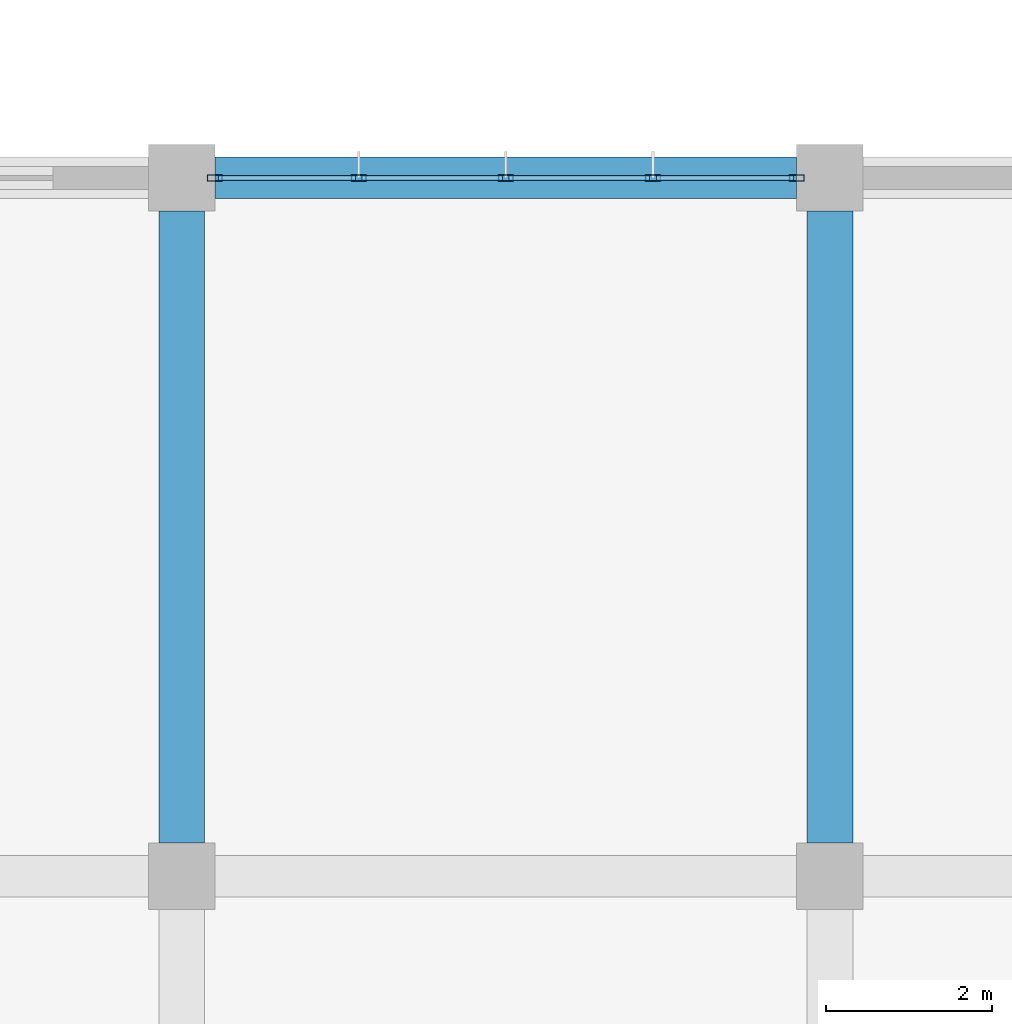
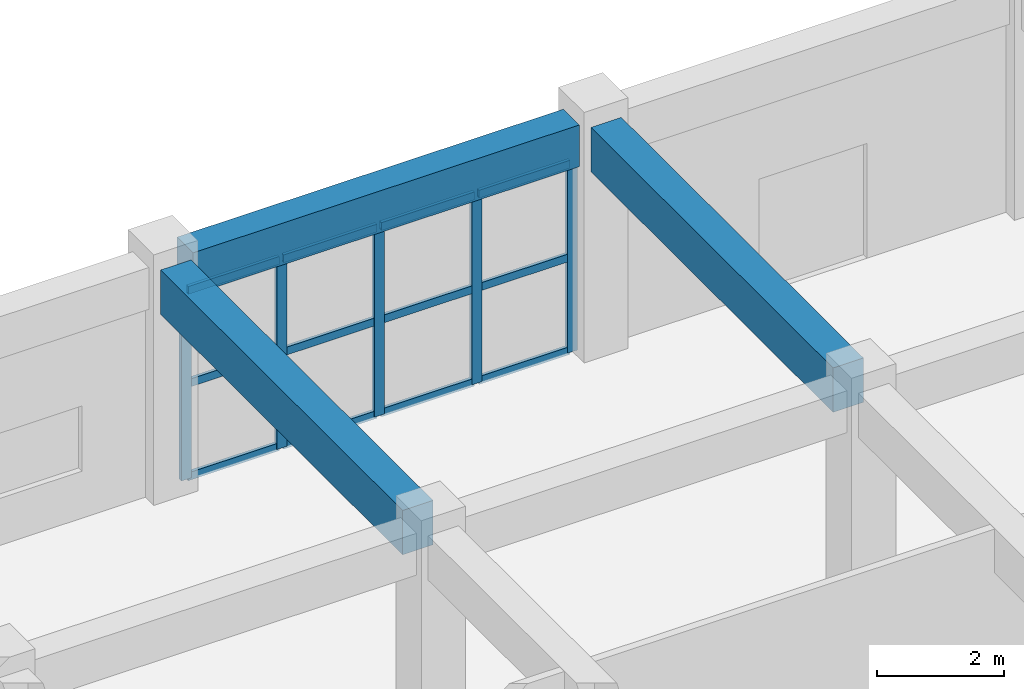
# One storey, part 97 of 139: 17 members, 3 beams, 1 element without a shape of its own.
"""IFC4 building model written with IfcOpenShell, lengths in metres."""

from ifc_helpers import new_model, si_unit, direction, frame, origin, origin_2d, place, context, subcontext, project, spatial, rectangle, hollow_rectangle, extrude, material, layer, layer_set, material_profile, profile_set, type_object, element, aggregate, save


model = new_model("IFC4")

# Units and contexts
model_context = context("Model", 3, precision=1e-05, world=origin(), true_north=direction((0.0, 1.0)))
body_context = subcontext(model_context, "Body", "Model", "MODEL_VIEW")
ifc_project = project(units=[si_unit("LENGTHUNIT", "METRE"), si_unit("AREAUNIT", "SQUARE_METRE"), si_unit("VOLUMEUNIT", "CUBIC_METRE"), si_unit("PLANEANGLEUNIT", "RADIAN"), si_unit("MASSUNIT", "GRAM", prefix="KILO")], contexts=[model_context])

# Site, building, storey
site_placement = place(None, origin())
site = spatial("IfcSite", under=ifc_project, at=site_placement, CompositionType="ELEMENT")
building_placement = place(site_placement, origin())
building = spatial("IfcBuilding", under=site, at=building_placement, Name="Zizhar Promenade General Hospital", CompositionType="ELEMENT")
storey_placement = place(building_placement, origin())
storey = spatial("IfcBuildingStorey", under=building, at=storey_placement, Name="L00", CompositionType="ELEMENT", Elevation=0.0)

# Beams
ifc_material_1 = material(Name="Concrete C35/45", Category="concrete")
ifc_material_profile_1 = material_profile(ifc_material_1, rectangle(XDim=0.5, YDim=0.800048828125, at=origin_2d()))
ifc_profile_set_1 = profile_set([ifc_material_profile_1], Name="Concrete C35/45")
beam_type_1 = type_object("IfcBeamType", Name="BM-RC-500x800", PredefinedType="BEAM", material=ifc_profile_set_1)
beam_placement = place(storey_placement, frame((101.800048828125, 134.39990234375, 4.070068359375), z_axis=(1.0, 0.0, 0.0), x_axis=(0.0, 1.0, 0.0)))
element("IfcBeam", 1, at=beam_placement, inside=storey, type_object=beam_type_1, Name="Grid Beam X L00 (13-16)", PredefinedType="BEAM", context=body_context, shape_type="SweptSolid", body=[
    extrude(rectangle(XDim=0.5, YDim=0.800048828125, at=origin_2d()), origin(), (0.0, 0.0, 1.0), 7.0),
])
ifc_material_2 = material(Name="Concrete C35/45", Category="concrete")
ifc_material_profile_2 = material_profile(ifc_material_2, rectangle(XDim=0.550048828125, YDim=0.85009765625, at=origin_2d()))
ifc_profile_set_2 = profile_set([ifc_material_profile_2], Name="Concrete C35/45")
beam_type_2 = type_object("IfcBeamType", Name="BM-RC-550x850", PredefinedType="BEAM", material=ifc_profile_set_2)
for number, where, z_axis, x_axis, name in (
    (2, (101.39990234375, 126.39990234375, 4.044921875), (0.0, 1.0, 0.0), (-1.0, 0.0, 0.0), "Grid Beam Y L00 (13-15)"),
    (3, (109.199951171875, 126.39990234375, 4.044921875), (0.0, 1.0, 0.0), (-1.0, 0.0, 0.0), "Grid Beam Y L00 (14-15)"),
):
    element("IfcBeam", number, at=place(storey_placement, frame(where, z_axis=z_axis, x_axis=x_axis)), inside=storey, type_object=beam_type_2, Name=name, PredefinedType="BEAM", context=body_context, shape_type="SweptSolid", body=[
        extrude(rectangle(XDim=0.550048828125, YDim=0.85009765625, at=origin_2d()), origin(), (0.0, 0.0, 1.0), 7.60009765625),
    ])

# Curtain wall, members
ifc_material_3 = material(Name="Anodised aluminium 6063-T6 and low-E glass", Category="aluminium")
ifc_layer = layer(ifc_material_3, 0.159912109375)
ifc_layer_set = layer_set([ifc_layer], Name="Anodised aluminium 6063-T6 and low-E glass")
curtain_wall_type = type_object("IfcCurtainWallType", Name="CW-DT-MOD2", PredefinedType="NOTDEFINED", material=ifc_layer_set)
curtain_wall_placement = place(storey_placement, origin())
curtain_wall = element("IfcCurtainWall", 4, at=curtain_wall_placement, inside=storey, type_object=curtain_wall_type, Name="Surgical North Glazed Curtain Wall L00-13", PredefinedType="NOTDEFINED")
ifc_material_4 = material(Name="Anodised aluminium 6063-T6", Category="aluminium")
ifc_material_profile_3 = material_profile(ifc_material_4, hollow_rectangle(XDim=0.080078125, YDim=0.179931640625, WallThickness=0.0048828125, at=origin_2d()))
ifc_profile_set_3 = profile_set([ifc_material_profile_3], Name="Anodised aluminium 6063-T6")
member_type_1 = type_object("IfcMemberType", Name="CWM-ALU-180x80", PredefinedType="MULLION", material=ifc_profile_set_3)
member_1_placement = place(storey_placement, frame((101.800048828125, 134.39990234375, 0.0), z_axis=(0.0, 0.0, 1.0), x_axis=(0.0, 1.0, 0.0)))
member_1 = element("IfcMember", 5, at=member_1_placement, type_object=member_type_1, Name="CW-08 mullion 1", PredefinedType="MULLION", context=body_context, shape_type="SweptSolid", body=[
    extrude(hollow_rectangle(XDim=0.080078125, YDim=0.179931640625, WallThickness=0.0048828125, at=origin_2d()), origin(), (0.0, 0.0, 1.0), 3.6298828125),
])
member_2_placement = place(storey_placement, frame((103.530029296875, 134.39990234375, 0.0), z_axis=(0.0, 0.0, 1.0), x_axis=(0.0, 1.0, 0.0)))
member_2 = element("IfcMember", 6, at=member_2_placement, type_object=member_type_1, Name="CW-08 mullion 2", PredefinedType="MULLION", context=body_context, shape_type="SweptSolid", body=[
    extrude(hollow_rectangle(XDim=0.080078125, YDim=0.179931640625, WallThickness=0.0048828125, at=origin_2d()), origin(), (0.0, 0.0, 1.0), 3.6298828125),
])
member_3_placement = place(storey_placement, frame((105.300048828125, 134.39990234375, 0.0), z_axis=(0.0, 0.0, 1.0), x_axis=(0.0, 1.0, 0.0)))
member_3 = element("IfcMember", 7, at=member_3_placement, type_object=member_type_1, Name="CW-08 mullion 3", PredefinedType="MULLION", context=body_context, shape_type="SweptSolid", body=[
    extrude(hollow_rectangle(XDim=0.080078125, YDim=0.179931640625, WallThickness=0.0048828125, at=origin_2d()), origin(), (0.0, 0.0, 1.0), 3.6298828125),
])
member_4_placement = place(storey_placement, frame((107.070068359375, 134.39990234375, 0.0), z_axis=(0.0, 0.0, 1.0), x_axis=(0.0, 1.0, 0.0)))
member_4 = element("IfcMember", 8, at=member_4_placement, type_object=member_type_1, Name="CW-08 mullion 4", PredefinedType="MULLION", context=body_context, shape_type="SweptSolid", body=[
    extrude(hollow_rectangle(XDim=0.080078125, YDim=0.179931640625, WallThickness=0.0048828125, at=origin_2d()), origin(), (0.0, 0.0, 1.0), 3.6298828125),
])
member_5_placement = place(storey_placement, frame((108.800048828125, 134.39990234375, 0.0), z_axis=(0.0, 0.0, 1.0), x_axis=(0.0, 1.0, 0.0)))
member_5 = element("IfcMember", 9, at=member_5_placement, type_object=member_type_1, Name="CW-08 mullion 5", PredefinedType="MULLION", context=body_context, shape_type="SweptSolid", body=[
    extrude(hollow_rectangle(XDim=0.080078125, YDim=0.179931640625, WallThickness=0.0048828125, at=origin_2d()), origin(), (0.0, 0.0, 1.0), 3.6298828125),
])
ifc_material_5 = material(Name="Anodised aluminium 6063-T6", Category="aluminium")
ifc_material_profile_4 = material_profile(ifc_material_5, hollow_rectangle(XDim=0.06005859375, YDim=0.14990234375, WallThickness=0.00390625, at=origin_2d()))
ifc_profile_set_4 = profile_set([ifc_material_profile_4], Name="Anodised aluminium 6063-T6")
member_type_2 = type_object("IfcMemberType", Name="CWT-ALU-150x60", PredefinedType="USERDEFINED", material=ifc_profile_set_4)
member_6_placement = place(storey_placement, frame((101.840087890625, 134.39990234375, 0.030029296875), z_axis=(1.0, 0.0, 0.0), x_axis=(0.0, 1.0, 0.0)))
member_6 = element("IfcMember", 10, at=member_6_placement, type_object=member_type_2, Name="CW-08 transom 1.1", ObjectType="TRANSOM", PredefinedType="USERDEFINED", context=body_context, shape_type="SweptSolid", body=[
    extrude(hollow_rectangle(XDim=0.06005859375, YDim=0.14990234375, WallThickness=0.00390625, at=origin_2d()), origin(), (0.0, 0.0, 1.0), 1.64990234375),
])
member_7_placement = place(storey_placement, frame((101.840087890625, 134.39990234375, 1.81494140625), z_axis=(1.0, 0.0, 0.0), x_axis=(0.0, 1.0, 0.0)))
member_7 = element("IfcMember", 11, at=member_7_placement, type_object=member_type_2, Name="CW-08 transom 1.2", ObjectType="TRANSOM", PredefinedType="USERDEFINED", context=body_context, shape_type="SweptSolid", body=[
    extrude(hollow_rectangle(XDim=0.06005859375, YDim=0.14990234375, WallThickness=0.00390625, at=origin_2d()), origin(), (0.0, 0.0, 1.0), 1.64990234375),
])
member_8_placement = place(storey_placement, frame((101.840087890625, 134.39990234375, 3.60009765625), z_axis=(1.0, 0.0, 0.0), x_axis=(0.0, 1.0, 0.0)))
member_8 = element("IfcMember", 12, at=member_8_placement, type_object=member_type_2, Name="CW-08 transom 1.3", ObjectType="TRANSOM", PredefinedType="USERDEFINED", context=body_context, shape_type="SweptSolid", body=[
    extrude(hollow_rectangle(XDim=0.06005859375, YDim=0.14990234375, WallThickness=0.00390625, at=origin_2d()), origin(), (0.0, 0.0, 1.0), 1.64990234375),
])
member_9_placement = place(storey_placement, frame((103.570068359375, 134.39990234375, 0.030029296875), z_axis=(1.0, 0.0, 0.0), x_axis=(0.0, 1.0, 0.0)))
member_9 = element("IfcMember", 13, at=member_9_placement, type_object=member_type_2, Name="CW-08 transom 2.1", ObjectType="TRANSOM", PredefinedType="USERDEFINED", context=body_context, shape_type="SweptSolid", body=[
    extrude(hollow_rectangle(XDim=0.06005859375, YDim=0.14990234375, WallThickness=0.00390625, at=origin_2d()), origin(), (0.0, 0.0, 1.0), 1.68994140625),
])
member_10_placement = place(storey_placement, frame((103.570068359375, 134.39990234375, 1.81494140625), z_axis=(1.0, 0.0, 0.0), x_axis=(0.0, 1.0, 0.0)))
member_10 = element("IfcMember", 14, at=member_10_placement, type_object=member_type_2, Name="CW-08 transom 2.2", ObjectType="TRANSOM", PredefinedType="USERDEFINED", context=body_context, shape_type="SweptSolid", body=[
    extrude(hollow_rectangle(XDim=0.06005859375, YDim=0.14990234375, WallThickness=0.00390625, at=origin_2d()), origin(), (0.0, 0.0, 1.0), 1.68994140625),
])
member_11_placement = place(storey_placement, frame((103.570068359375, 134.39990234375, 3.60009765625), z_axis=(1.0, 0.0, 0.0), x_axis=(0.0, 1.0, 0.0)))
member_11 = element("IfcMember", 15, at=member_11_placement, type_object=member_type_2, Name="CW-08 transom 2.3", ObjectType="TRANSOM", PredefinedType="USERDEFINED", context=body_context, shape_type="SweptSolid", body=[
    extrude(hollow_rectangle(XDim=0.06005859375, YDim=0.14990234375, WallThickness=0.00390625, at=origin_2d()), origin(), (0.0, 0.0, 1.0), 1.68994140625),
])
member_12_placement = place(storey_placement, frame((105.340087890625, 134.39990234375, 0.030029296875), z_axis=(1.0, 0.0, 0.0), x_axis=(0.0, 1.0, 0.0)))
member_12 = element("IfcMember", 16, at=member_12_placement, type_object=member_type_2, Name="CW-08 transom 3.1", ObjectType="TRANSOM", PredefinedType="USERDEFINED", context=body_context, shape_type="SweptSolid", body=[
    extrude(hollow_rectangle(XDim=0.06005859375, YDim=0.14990234375, WallThickness=0.00390625, at=origin_2d()), origin(), (0.0, 0.0, 1.0), 1.68994140625),
])
member_13_placement = place(storey_placement, frame((105.340087890625, 134.39990234375, 1.81494140625), z_axis=(1.0, 0.0, 0.0), x_axis=(0.0, 1.0, 0.0)))
member_13 = element("IfcMember", 17, at=member_13_placement, type_object=member_type_2, Name="CW-08 transom 3.2", ObjectType="TRANSOM", PredefinedType="USERDEFINED", context=body_context, shape_type="SweptSolid", body=[
    extrude(hollow_rectangle(XDim=0.06005859375, YDim=0.14990234375, WallThickness=0.00390625, at=origin_2d()), origin(), (0.0, 0.0, 1.0), 1.68994140625),
])
member_14_placement = place(storey_placement, frame((105.340087890625, 134.39990234375, 3.60009765625), z_axis=(1.0, 0.0, 0.0), x_axis=(0.0, 1.0, 0.0)))
member_14 = element("IfcMember", 18, at=member_14_placement, type_object=member_type_2, Name="CW-08 transom 3.3", ObjectType="TRANSOM", PredefinedType="USERDEFINED", context=body_context, shape_type="SweptSolid", body=[
    extrude(hollow_rectangle(XDim=0.06005859375, YDim=0.14990234375, WallThickness=0.00390625, at=origin_2d()), origin(), (0.0, 0.0, 1.0), 1.68994140625),
])
member_15_placement = place(storey_placement, frame((107.110107421875, 134.39990234375, 0.030029296875), z_axis=(1.0, 0.0, 0.0), x_axis=(0.0, 1.0, 0.0)))
member_15 = element("IfcMember", 19, at=member_15_placement, type_object=member_type_2, Name="CW-08 transom 4.1", ObjectType="TRANSOM", PredefinedType="USERDEFINED", context=body_context, shape_type="SweptSolid", body=[
    extrude(hollow_rectangle(XDim=0.06005859375, YDim=0.14990234375, WallThickness=0.00390625, at=origin_2d()), origin(), (0.0, 0.0, 1.0), 1.64990234375),
])
member_16_placement = place(storey_placement, frame((107.110107421875, 134.39990234375, 1.81494140625), z_axis=(1.0, 0.0, 0.0), x_axis=(0.0, 1.0, 0.0)))
member_16 = element("IfcMember", 20, at=member_16_placement, type_object=member_type_2, Name="CW-08 transom 4.2", ObjectType="TRANSOM", PredefinedType="USERDEFINED", context=body_context, shape_type="SweptSolid", body=[
    extrude(hollow_rectangle(XDim=0.06005859375, YDim=0.14990234375, WallThickness=0.00390625, at=origin_2d()), origin(), (0.0, 0.0, 1.0), 1.64990234375),
])
member_17_placement = place(storey_placement, frame((107.110107421875, 134.39990234375, 3.60009765625), z_axis=(1.0, 0.0, 0.0), x_axis=(0.0, 1.0, 0.0)))
member_17 = element("IfcMember", 21, at=member_17_placement, type_object=member_type_2, Name="CW-08 transom 4.3", ObjectType="TRANSOM", PredefinedType="USERDEFINED", context=body_context, shape_type="SweptSolid", body=[
    extrude(hollow_rectangle(XDim=0.06005859375, YDim=0.14990234375, WallThickness=0.00390625, at=origin_2d()), origin(), (0.0, 0.0, 1.0), 1.64990234375),
])
aggregate(curtain_wall, [member_1, member_2, member_3, member_4, member_5, member_6, member_7, member_8, member_9, member_10, member_11, member_12, member_13, member_14, member_15, member_16, member_17])

save(model, "model.ifc")
